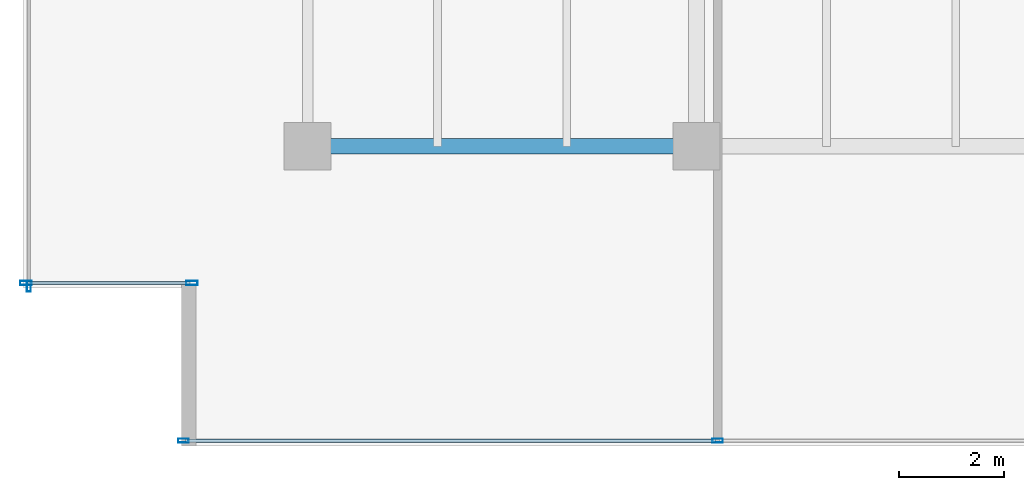
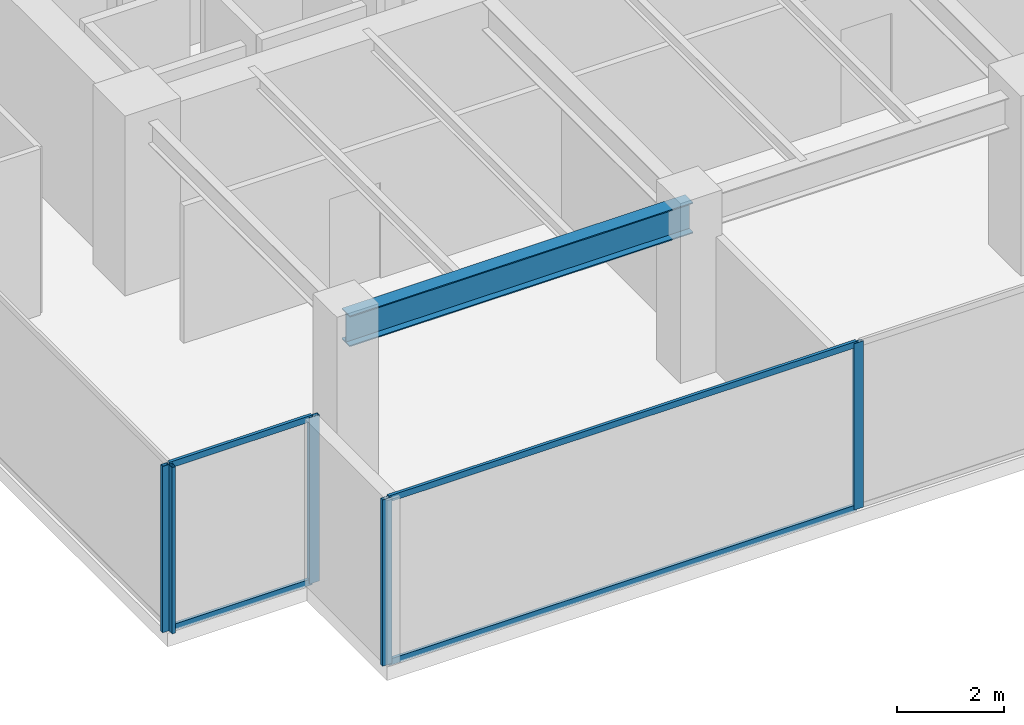
# One storey, part 2 of 30: 9 members, 1 beam, 3 elements without a shape of their own.
"""IFC4 building model written with IfcOpenShell, lengths in metres."""

from ifc_helpers import new_model, si_unit, direction, frame, origin, origin_2d, place, context, subcontext, project, spatial, hollow_rectangle, i_section, extrude, source, transform, mapped, material, layer, layer_set, material_profile, profile_set, type_object, type_shapes, element, aggregate, save


model = new_model("IFC4")

# Units and contexts
model_context = context("Model", 3, precision=1e-05, world=origin(), true_north=direction((0.0, 1.0)))
body_context = subcontext(model_context, "Body", "Model", "MODEL_VIEW")
ifc_project = project(units=[si_unit("LENGTHUNIT", "METRE"), si_unit("AREAUNIT", "SQUARE_METRE"), si_unit("VOLUMEUNIT", "CUBIC_METRE"), si_unit("PLANEANGLEUNIT", "RADIAN"), si_unit("MASSUNIT", "GRAM", prefix="KILO")], contexts=[model_context])

# Site, building, storey
site_placement = place(None, origin())
site = spatial("IfcSite", under=ifc_project, at=site_placement, CompositionType="ELEMENT")
building_placement = place(site_placement, origin())
building = spatial("IfcBuilding", under=site, at=building_placement, Name="Haelvirn Gate Laboratories", CompositionType="ELEMENT")
storey_placement = place(building_placement, frame((0.0, 0.0, 105.10009765625)))
storey = spatial("IfcBuildingStorey", under=building, at=storey_placement, Name="L25", CompositionType="ELEMENT", Elevation=105.10009765625)

# Beam
ifc_material_1 = material(Name="Steel SM355", Category="steel")
ifc_material_profile_1 = material_profile(ifc_material_1, i_section(OverallWidth=0.300048828125, OverallDepth=0.699951171875, WebThickness=0.012939453125, FlangeThickness=0.02392578125, at=origin_2d()), Name="H-700x300x13x24")
ifc_profile_set_1 = profile_set([ifc_material_profile_1], Name="Steel SM355")
beam_type = type_object("IfcBeamType", Name="BM-G-700", PredefinedType="BEAM", material=ifc_profile_set_1)
shared_shape_1 = source(origin(), body_context, "Body", "SweptSolid", [
    extrude(i_section(OverallWidth=0.300048828125, OverallDepth=0.699951171875, WebThickness=0.012939453125, FlangeThickness=0.02392578125, at=origin_2d()), origin(), (0.0, 0.0, 1.0), 7.400146484375),
])
type_shapes(beam_type, [shared_shape_1])
beam_placement = place(storey_placement, frame((7.39990234375, 7.0, 3.43994140625), z_axis=(1.0, 0.0, 0.0), x_axis=(0.0, 1.0, 0.0)))
element("IfcBeam", 1, at=beam_placement, inside=storey, type_object=beam_type, Name="L25 Primary Girder Y7.0 (7.4-14.8)", PredefinedType="BEAM", context=body_context, shape_type="MappedRepresentation", body=[
    mapped(shared_shape_1, transform((0.0, 0.0, 0.0), scale=1.0)),
])

# Curtain wall, members
ifc_material_2 = material(Name="Anodised bronze unitised aluminium & triple low-E glass", Category="aluminium")
ifc_layer_1 = layer(ifc_material_2, 0.179931640625, Name="CW-SYS-3")
ifc_layer_set_1 = layer_set([ifc_layer_1], Name="Anodised bronze unitised aluminium & triple low-E glass")
curtain_wall_type_1 = type_object("IfcCurtainWallType", Name="CW-SYS-3", PredefinedType="NOTDEFINED", material=ifc_layer_set_1)
curtain_wall_1_placement = place(storey_placement, origin())
curtain_wall_1 = element("IfcCurtainWall", 2, at=curtain_wall_1_placement, inside=storey, type_object=curtain_wall_type_1, Name="L25 Unitised Curtain Wall CW-L25-P0-E00-1", PredefinedType="NOTDEFINED")
ifc_material_3 = material(Name="Extruded aluminium 6063-T6 (anodised bronze)", Category="aluminium")
ifc_material_profile_2 = material_profile(ifc_material_3, hollow_rectangle(XDim=0.06494140625, YDim=0.139892578125, WallThickness=0.00390625, at=origin_2d()), Name="CWT-140x65x4")
ifc_profile_set_2 = profile_set([ifc_material_profile_2], Name="Extruded aluminium 6063-T6 (anodised bronze)")
member_type_1 = type_object("IfcMemberType", Name="CWT-T140", PredefinedType="USERDEFINED", material=ifc_profile_set_2)
shared_shape_2 = source(origin(), body_context, "Body", "SweptSolid", [
    extrude(hollow_rectangle(XDim=0.06494140625, YDim=0.139892578125, WallThickness=0.00390625, at=origin_2d()), origin(), (0.0, 0.0, 1.0), 10.087646484375),
])
member_1_placement = place(storey_placement, frame((5.074951171875, 1.39990234375, 0.032470703125), z_axis=(1.0, 0.0, 0.0), x_axis=(0.0, 1.0, 0.0)))
member_1 = element("IfcMember", 3, at=member_1_placement, type_object=member_type_1, Name="CW3 transom 1.1", ObjectType="TRANSOM", PredefinedType="USERDEFINED", context=body_context, shape_type="MappedRepresentation", body=[
    mapped(shared_shape_2, transform((0.0, 0.0, 0.0), scale=1.0)),
])
member_2_placement = place(storey_placement, frame((5.074951171875, 1.39990234375, 3.75732421875), z_axis=(1.0, 0.0, 0.0), x_axis=(0.0, 1.0, 0.0)))
member_2 = element("IfcMember", 4, at=member_2_placement, type_object=member_type_1, Name="CW3 transom 1.2", ObjectType="TRANSOM", PredefinedType="USERDEFINED", context=body_context, shape_type="MappedRepresentation", body=[
    mapped(shared_shape_2, transform((0.0, 0.0, 0.0), scale=1.0)),
])

ifc_layer_2 = layer(ifc_material_2, 0.181884765625, Name="CW-SYS-5")
ifc_layer_set_2 = layer_set([ifc_layer_2], Name="Anodised bronze unitised aluminium & triple low-E glass")
curtain_wall_type_2 = type_object("IfcCurtainWallType", Name="CW-SYS-5", PredefinedType="NOTDEFINED", material=ifc_layer_set_2)
curtain_wall_2_placement = place(storey_placement, origin())
curtain_wall_2 = element("IfcCurtainWall", 5, at=curtain_wall_2_placement, inside=storey, type_object=curtain_wall_type_2, Name="L25 Unitised Curtain Wall CW-L25-P0-E18-1", PredefinedType="NOTDEFINED")
shared_shape_3 = source(origin(), body_context, "Body", "SweptSolid", [
    extrude(hollow_rectangle(XDim=0.06494140625, YDim=0.139892578125, WallThickness=0.00390625, at=origin_2d()), origin(), (0.0, 0.0, 1.0), 3.079833984375),
])
type_shapes(member_type_1, [shared_shape_2, shared_shape_3])
member_3_placement = place(storey_placement, frame((2.080078125, 4.39990234375, 0.032470703125), z_axis=(1.0, 0.0, 0.0), x_axis=(0.0, 1.0, 0.0)))
member_3 = element("IfcMember", 6, at=member_3_placement, type_object=member_type_1, Name="CW5 transom 1.1", ObjectType="TRANSOM", PredefinedType="USERDEFINED", context=body_context, shape_type="MappedRepresentation", body=[
    mapped(shared_shape_3, transform((0.0, 0.0, 0.0), scale=1.0)),
])
member_4_placement = place(storey_placement, frame((2.080078125, 4.39990234375, 3.75732421875), z_axis=(1.0, 0.0, 0.0), x_axis=(0.0, 1.0, 0.0)))
member_4 = element("IfcMember", 7, at=member_4_placement, type_object=member_type_1, Name="CW5 transom 1.2", ObjectType="TRANSOM", PredefinedType="USERDEFINED", context=body_context, shape_type="MappedRepresentation", body=[
    mapped(shared_shape_3, transform((0.0, 0.0, 0.0), scale=1.0)),
])

# Member
ifc_material_profile_3 = material_profile(ifc_material_3, hollow_rectangle(XDim=0.074951171875, YDim=0.199951171875, WallThickness=0.0048828125, at=origin_2d()), Name="CWM-200x75x5")
ifc_profile_set_3 = profile_set([ifc_material_profile_3], Name="Extruded aluminium 6063-T6 (anodised bronze)")
member_type_2 = type_object("IfcMemberType", Name="CWM-T200", PredefinedType="MULLION", material=ifc_profile_set_3)
shared_shape_4 = source(origin(), body_context, "Body", "SweptSolid", [
    extrude(hollow_rectangle(XDim=0.074951171875, YDim=0.199951171875, WallThickness=0.0048828125, at=origin_2d()), origin(), (0.0, 0.0, 1.0), 3.789794921875),
])
type_shapes(member_type_2, [shared_shape_4])
member_5_placement = place(storey_placement, frame((5.03759765625, 1.39990234375, 0.0), z_axis=(0.0, 0.0, 1.0), x_axis=(0.0, 1.0, 0.0)))
member_5 = element("IfcMember", 8, at=member_5_placement, type_object=member_type_2, Name="CW3 mullion 1", PredefinedType="MULLION", context=body_context, shape_type="MappedRepresentation", body=[
    mapped(shared_shape_4, transform((0.0, 0.0, 0.0), scale=1.0)),
])

member_6_placement = place(storey_placement, frame((15.199951171875, 1.39990234375, 0.0), z_axis=(0.0, 0.0, 1.0), x_axis=(0.0, 1.0, 0.0)))
member_6 = element("IfcMember", 9, at=member_6_placement, type_object=member_type_2, Name="CW3 mullion 2", PredefinedType="MULLION", context=body_context, shape_type="MappedRepresentation", body=[
    mapped(shared_shape_4, transform((0.0, 0.0, 0.0), scale=1.0)),
])

aggregate(curtain_wall_1, [member_5, member_6, member_1, member_2])

# Curtain wall, member
curtain_wall_3_placement = place(storey_placement, origin())
curtain_wall_3 = element("IfcCurtainWall", 10, at=curtain_wall_3_placement, inside=storey, type_object=curtain_wall_type_1, Name="L25 Unitised Curtain Wall CW-L25-P0-E17", PredefinedType="NOTDEFINED")
member_7_placement = place(storey_placement, frame((2.10009765625, 4.33740234375, 0.0), z_axis=(0.0, 0.0, 1.0), x_axis=(1.0, 0.0, 0.0)))
member_7 = element("IfcMember", 11, at=member_7_placement, type_object=member_type_2, Name="CW3 mullion 4", PredefinedType="MULLION", context=body_context, shape_type="MappedRepresentation", body=[
    mapped(shared_shape_4, transform((0.0, 0.0, 0.0), scale=1.0)),
])
aggregate(curtain_wall_3, [member_7])

# Member
ifc_material_profile_4 = material_profile(ifc_material_3, hollow_rectangle(XDim=0.080078125, YDim=0.219970703125, WallThickness=0.006103515625, at=origin_2d()), Name="CWM-220x80x6")
ifc_profile_set_4 = profile_set([ifc_material_profile_4], Name="Extruded aluminium 6063-T6 (anodised bronze)")
member_type_3 = type_object("IfcMemberType", Name="CWM-T220", PredefinedType="MULLION", material=ifc_profile_set_4)
shared_shape_5 = source(origin(), body_context, "Body", "SweptSolid", [
    extrude(hollow_rectangle(XDim=0.080078125, YDim=0.219970703125, WallThickness=0.006103515625, at=origin_2d()), origin(), (0.0, 0.0, 1.0), 3.789794921875),
])
type_shapes(member_type_3, [shared_shape_5])
member_8_placement = place(storey_placement, frame((2.0400390625, 4.39990234375, 0.0), z_axis=(0.0, 0.0, 1.0), x_axis=(0.0, 1.0, 0.0)))
member_8 = element("IfcMember", 12, at=member_8_placement, type_object=member_type_3, Name="CW5 mullion 1", PredefinedType="MULLION", context=body_context, shape_type="MappedRepresentation", body=[
    mapped(shared_shape_5, transform((0.0, 0.0, 0.0), scale=1.0)),
])

member_9_placement = place(storey_placement, frame((5.199951171875, 4.39990234375, 0.0), z_axis=(0.0, 0.0, 1.0), x_axis=(0.0, 1.0, 0.0)))
member_9 = element("IfcMember", 13, at=member_9_placement, type_object=member_type_3, Name="CW5 mullion 2", PredefinedType="MULLION", context=body_context, shape_type="MappedRepresentation", body=[
    mapped(shared_shape_5, transform((0.0, 0.0, 0.0), scale=1.0)),
])

aggregate(curtain_wall_2, [member_8, member_9, member_3, member_4])

save(model, "model.ifc")
